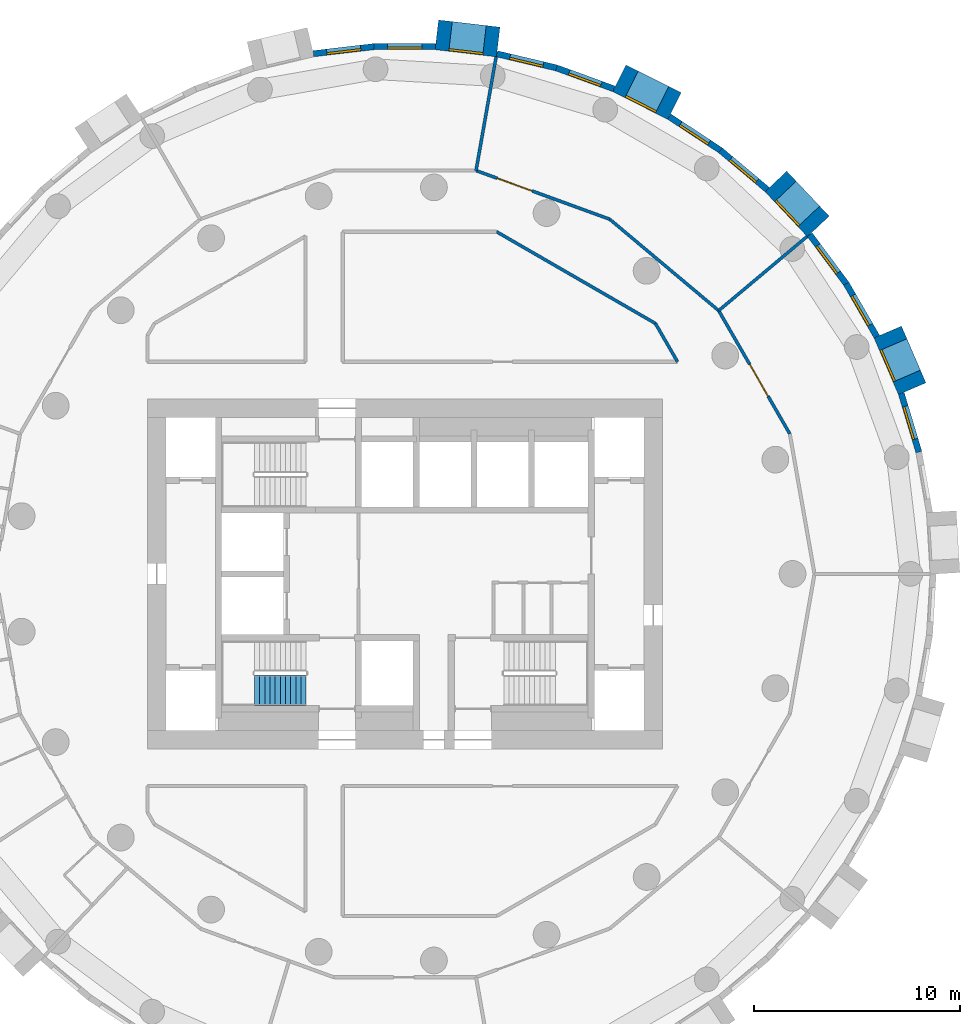
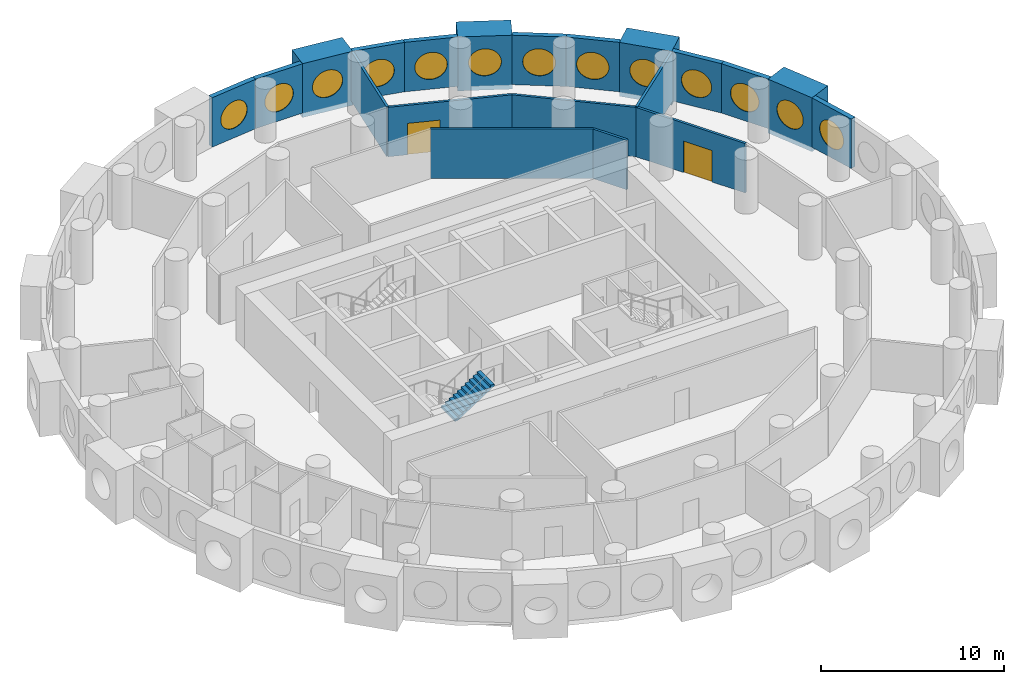
# One storey, part 7 of 9: 20 walls, 13 windows, 2 doors, 1 stair flight, 15 openings, 1 element without a shape of its own.
"""IFC4 building model written with IfcOpenShell, lengths in metres."""

from ifc_helpers import new_model, si_unit, direction, frame, frame_2d, origin, origin_2d, place, context, subcontext, project, spatial, polyline, rectangle, circle, outline, extrude, material, layer, layer_set, type_object, element, fill, aggregate, save


model = new_model("IFC4")

# Units and contexts
model_context = context("Model", 3, precision=1e-05, world=origin(), true_north=direction((0.0, 1.0)))
body_context = subcontext(model_context, "Body", "Model", "MODEL_VIEW")
ifc_project = project(units=[si_unit("LENGTHUNIT", "METRE"), si_unit("AREAUNIT", "SQUARE_METRE"), si_unit("VOLUMEUNIT", "CUBIC_METRE"), si_unit("PLANEANGLEUNIT", "RADIAN"), si_unit("MASSUNIT", "GRAM", prefix="KILO")], contexts=[model_context])

# Site, building, storey
site_placement = place(None, origin())
site = spatial("IfcSite", under=ifc_project, at=site_placement, CompositionType="ELEMENT")
building_placement = place(site_placement, origin())
building = spatial("IfcBuilding", under=site, at=building_placement, Name="Tracery Tower", CompositionType="ELEMENT")
storey_placement = place(building_placement, frame((0.0, 0.0, 205.199951171875)))
storey = spatial("IfcBuildingStorey", under=building, at=storey_placement, Name="L53", CompositionType="ELEMENT", Elevation=205.199951171875)

# Wall, opening, window
ifc_material_1 = material(Name="Precast concrete C50/60", Category="concrete")
ifc_layer_1 = layer(ifc_material_1, 1.449951171875)
ifc_layer_set_1 = layer_set([ifc_layer_1], Name="Deep-set bay unit 3000 x 3600, slab edge 300")
wall_type_1 = type_object("IfcWallType", Name="Deep-set bay unit 3000 x 3600, slab edge 300", PredefinedType="ELEMENTEDWALL", material=ifc_layer_set_1)
wall_1_placement = place(storey_placement, frame((24.632080078125, 8.99169921875, -0.300048828125), z_axis=(0.0, 0.0, 1.0), x_axis=(-0.396079003245, 0.918216435917, 0.0)))
wall_1 = element("IfcWall", 1, at=wall_1_placement, inside=storey, type_object=wall_type_1, Name="Deep-set bay unit 4 at L53", PredefinedType="ELEMENTEDWALL", context=body_context, shape_type="SweptSolid", body=[
    extrude(rectangle(XDim=3.0, YDim=1.449951171875, at=frame_2d((1.5, 0.0))), origin(), (0.0, 0.0, 1.0), 3.60009765625),
])
opening_1_placement = place(wall_1_placement, frame((1.5, 0.0, 1.85009765625)))
opening_1 = element("IfcOpeningElement", 2, at=opening_1_placement, cuts=wall_1, Name="Opening WN1", PredefinedType="OPENING", context=body_context, shape_type="SweptSolid", body=[
    extrude(circle(Radius=0.9000244140625, at=origin_2d()), frame((0.0, 0.73486328125, 0.0), z_axis=(0.0, -1.0, 0.0), x_axis=(1.0, 0.0, 0.0)), (0.0, 0.0, 1.0), 1.469970703125),
])
ifc_material_2 = material(Name="Aluminium frame with tinted double glazing", Category="aluminium")
window_type = type_object("IfcWindowType", Name="Round window 1800", PartitioningType="SINGLE_PANEL", PredefinedType="WINDOW", material=ifc_material_2)
window_1_placement = place(opening_1_placement, origin())
window_1 = element("IfcWindow", 3, at=window_1_placement, inside=storey, type_object=window_type, Name="Round window 4 at L53", OverallHeight=1.800048828125, OverallWidth=1.800048828125, PartitioningType="SINGLE_PANEL", PredefinedType="WINDOW", context=body_context, shape_type="SweptSolid", body=[
    extrude(circle(Radius=0.9000244140625, at=origin_2d()), frame((0.0, 0.69482421875, 0.0), z_axis=(0.0, -1.0, 0.0), x_axis=(1.0, 0.0, 0.0)), (0.0, 0.0, 1.0), 0.10009765625),
])
fill(opening_1, window_1)

wall_2_placement = place(storey_placement, frame((20.0712890625, 16.8740234375, -0.300048828125), z_axis=(0.0, 0.0, 1.0), x_axis=(-0.686217177108, 0.727396718334, 0.0)))
wall_2 = element("IfcWall", 4, at=wall_2_placement, inside=storey, type_object=wall_type_1, Name="Deep-set bay unit 7 at L53", PredefinedType="ELEMENTEDWALL", context=body_context, shape_type="SweptSolid", body=[
    extrude(rectangle(XDim=3.0, YDim=1.449951171875, at=frame_2d((1.5, 0.0))), origin(), (0.0, 0.0, 1.0), 3.60009765625),
])
opening_2_placement = place(wall_2_placement, frame((1.5, 0.0, 1.85009765625)))
opening_2 = element("IfcOpeningElement", 5, at=opening_2_placement, cuts=wall_2, Name="Opening WN1", PredefinedType="OPENING", context=body_context, shape_type="SweptSolid", body=[
    extrude(circle(Radius=0.9000244140625, at=origin_2d()), frame((0.0, 0.73486328125, 0.0), z_axis=(0.0, -1.0, 0.0), x_axis=(1.0, 0.0, 0.0)), (0.0, 0.0, 1.0), 1.469970703125),
])
window_2_placement = place(opening_2_placement, origin())
window_2 = element("IfcWindow", 6, at=window_2_placement, inside=storey, type_object=window_type, Name="Round window 7 at L53", OverallHeight=1.800048828125, OverallWidth=1.800048828125, PartitioningType="SINGLE_PANEL", PredefinedType="WINDOW", context=body_context, shape_type="SweptSolid", body=[
    extrude(circle(Radius=0.9000244140625, at=origin_2d()), frame((0.0, 0.69482421875, 0.0), z_axis=(0.0, -1.0, 0.0), x_axis=(1.0, 0.0, 0.0)), (0.0, 0.0, 1.0), 0.10009765625),
])
fill(opening_2, window_2)

wall_3_placement = place(storey_placement, frame((13.089599609375, 22.72119140625, -0.300048828125), z_axis=(0.0, 0.0, 1.0), x_axis=(-0.893628249713, 0.448807922518, 0.0)))
wall_3 = element("IfcWall", 7, at=wall_3_placement, inside=storey, type_object=wall_type_1, Name="Deep-set bay unit 10 at L53", PredefinedType="ELEMENTEDWALL", context=body_context, shape_type="SweptSolid", body=[
    extrude(rectangle(XDim=3.0, YDim=1.449951171875, at=frame_2d((1.5, 0.0))), origin(), (0.0, 0.0, 1.0), 3.60009765625),
])
opening_3_placement = place(wall_3_placement, frame((1.5, 0.0, 1.85009765625)))
opening_3 = element("IfcOpeningElement", 8, at=opening_3_placement, cuts=wall_3, Name="Opening WN1", PredefinedType="OPENING", context=body_context, shape_type="SweptSolid", body=[
    extrude(circle(Radius=0.9000244140625, at=origin_2d()), frame((0.0, 0.73486328125, 0.0), z_axis=(0.0, -1.0, 0.0), x_axis=(1.0, 0.0, 0.0)), (0.0, 0.0, 1.0), 1.469970703125),
])
window_3_placement = place(opening_3_placement, origin())
window_3 = element("IfcWindow", 9, at=window_3_placement, inside=storey, type_object=window_type, Name="Round window 10 at L53", OverallHeight=1.800048828125, OverallWidth=1.800048828125, PartitioningType="SINGLE_PANEL", PredefinedType="WINDOW", context=body_context, shape_type="SweptSolid", body=[
    extrude(circle(Radius=0.9000244140625, at=origin_2d()), frame((0.0, 0.69482421875, 0.0), z_axis=(0.0, -1.0, 0.0), x_axis=(1.0, 0.0, 0.0)), (0.0, 0.0, 1.0), 0.10009765625),
])
fill(opening_3, window_3)

wall_4_placement = place(storey_placement, frame((4.529052734375, 25.827880859375, -0.300048828125), z_axis=(0.0, 0.0, 1.0), x_axis=(-0.9932342274, 0.116128246006, 0.0)))
wall_4 = element("IfcWall", 10, at=wall_4_placement, inside=storey, type_object=wall_type_1, Name="Deep-set bay unit 13 at L53", PredefinedType="ELEMENTEDWALL", context=body_context, shape_type="SweptSolid", body=[
    extrude(rectangle(XDim=3.0, YDim=1.449951171875, at=frame_2d((1.5, 0.0))), origin(), (0.0, 0.0, 1.0), 3.60009765625),
])
opening_4_placement = place(wall_4_placement, frame((1.5, 0.0, 1.85009765625)))
opening_4 = element("IfcOpeningElement", 11, at=opening_4_placement, cuts=wall_4, Name="Opening WN1", PredefinedType="OPENING", context=body_context, shape_type="SweptSolid", body=[
    extrude(circle(Radius=0.9000244140625, at=origin_2d()), frame((0.0, 0.73486328125, 0.0), z_axis=(0.0, -1.0, 0.0), x_axis=(1.0, 0.0, 0.0)), (0.0, 0.0, 1.0), 1.469970703125),
])
window_4_placement = place(opening_4_placement, origin())
window_4 = element("IfcWindow", 12, at=window_4_placement, inside=storey, type_object=window_type, Name="Round window 13 at L53", OverallHeight=1.800048828125, OverallWidth=1.800048828125, PartitioningType="SINGLE_PANEL", PredefinedType="WINDOW", context=body_context, shape_type="SweptSolid", body=[
    extrude(circle(Radius=0.9000244140625, at=origin_2d()), frame((0.0, 0.69482421875, 0.0), z_axis=(0.0, -1.0, 0.0), x_axis=(1.0, 0.0, 0.0)), (0.0, 0.0, 1.0), 0.10009765625),
])
fill(opening_4, window_4)

ifc_material_3 = material(Name="Precast concrete C50/60", Category="concrete")
ifc_layer_2 = layer(ifc_material_3, 0.300048828125)
ifc_layer_set_2 = layer_set([ifc_layer_2], Name="Facade panel 3000 x 3300")
wall_type_2 = type_object("IfcWallType", Name="Facade panel 3000 x 3300", PredefinedType="SOLIDWALL", material=ifc_layer_set_2)
wall_5_placement = place(storey_placement, frame((24.9560546875, 5.914794921875, 0.0), z_axis=(0.0, 0.0, 1.0), x_axis=(-0.286782750849, 0.957995643944, 0.0)))
wall_5 = element("IfcWall", 13, at=wall_5_placement, inside=storey, type_object=wall_type_2, Name="Facade panel 3 at L53", PredefinedType="SOLIDWALL", context=body_context, shape_type="SweptSolid", body=[
    extrude(rectangle(XDim=2.97265625, YDim=0.300048828125, at=frame_2d((1.486328125, 0.0))), origin(), (0.0, 0.0, 1.0), 3.300048828125),
])
opening_5_placement = place(wall_5_placement, frame((1.486328125, 0.0, 1.5498046875)))
opening_5 = element("IfcOpeningElement", 14, at=opening_5_placement, cuts=wall_5, Name="Opening WN1", PredefinedType="OPENING", context=body_context, shape_type="SweptSolid", body=[
    extrude(circle(Radius=0.9000244140625, at=origin_2d()), frame((0.0, 0.159912109375, 0.0), z_axis=(0.0, -1.0, 0.0), x_axis=(1.0, 0.0, 0.0)), (0.0, 0.0, 1.0), 0.320068359375),
])
window_5_placement = place(opening_5_placement, origin())
window_5 = element("IfcWindow", 15, at=window_5_placement, inside=storey, type_object=window_type, Name="Round window 3 at L53", OverallHeight=1.800048828125, OverallWidth=1.800048828125, PartitioningType="SINGLE_PANEL", PredefinedType="WINDOW", context=body_context, shape_type="SweptSolid", body=[
    extrude(circle(Radius=0.9000244140625, at=origin_2d()), frame((0.0, 0.1201171875, 0.0), z_axis=(0.0, -1.0, 0.0), x_axis=(1.0, 0.0, 0.0)), (0.0, 0.0, 1.0), 0.10009765625),
])
fill(opening_5, window_5)

wall_6_placement = place(storey_placement, frame((22.91455078125, 11.518798828125, 0.0), z_axis=(0.0, 0.0, 1.0), x_axis=(-0.499954672104, 0.866051572276, 0.0)))
wall_6 = element("IfcWall", 16, at=wall_6_placement, inside=storey, type_object=wall_type_2, Name="Facade panel 5 at L53", PredefinedType="SOLIDWALL", context=body_context, shape_type="SweptSolid", body=[
    extrude(rectangle(XDim=2.972900390625, YDim=0.300048828125, at=frame_2d((1.486328125, 0.0))), origin(), (0.0, 0.0, 1.0), 3.300048828125),
])
opening_6_placement = place(wall_6_placement, frame((1.486328125, 0.0, 1.5498046875)))
opening_6 = element("IfcOpeningElement", 17, at=opening_6_placement, cuts=wall_6, Name="Opening WN1", PredefinedType="OPENING", context=body_context, shape_type="SweptSolid", body=[
    extrude(circle(Radius=0.9000244140625, at=origin_2d()), frame((0.0, 0.159912109375, 0.0), z_axis=(0.0, -1.0, 0.0), x_axis=(1.0, 0.0, 0.0)), (0.0, 0.0, 1.0), 0.320068359375),
])
window_6_placement = place(opening_6_placement, origin())
window_6 = element("IfcWindow", 18, at=window_6_placement, inside=storey, type_object=window_type, Name="Round window 5 at L53", OverallHeight=1.800048828125, OverallWidth=1.800048828125, PartitioningType="SINGLE_PANEL", PredefinedType="WINDOW", context=body_context, shape_type="SweptSolid", body=[
    extrude(circle(Radius=0.9000244140625, at=origin_2d()), frame((0.0, 0.1201171875, 0.0), z_axis=(0.0, -1.0, 0.0), x_axis=(1.0, 0.0, 0.0)), (0.0, 0.0, 1.0), 0.10009765625),
])
fill(opening_6, window_6)

wall_7_placement = place(storey_placement, frame((21.42822265625, 14.093505859375, 0.0), z_axis=(0.0, 0.0, 1.0), x_axis=(-0.597197580538, 0.80209416517, 0.0)))
wall_7 = element("IfcWall", 19, at=wall_7_placement, inside=storey, type_object=wall_type_2, Name="Facade panel 6 at L53", PredefinedType="SOLIDWALL", context=body_context, shape_type="SweptSolid", body=[
    extrude(rectangle(XDim=2.972900390625, YDim=0.300048828125, at=frame_2d((1.486328125, 0.0))), origin(), (0.0, 0.0, 1.0), 3.300048828125),
])
opening_7_placement = place(wall_7_placement, frame((1.486328125, 0.0, 1.5498046875)))
opening_7 = element("IfcOpeningElement", 20, at=opening_7_placement, cuts=wall_7, Name="Opening WN1", PredefinedType="OPENING", context=body_context, shape_type="SweptSolid", body=[
    extrude(circle(Radius=0.9000244140625, at=origin_2d()), frame((0.0, 0.159912109375, 0.0), z_axis=(0.0, -1.0, 0.0), x_axis=(1.0, 0.0, 0.0)), (0.0, 0.0, 1.0), 0.320068359375),
])
window_7_placement = place(opening_7_placement, origin())
window_7 = element("IfcWindow", 21, at=window_7_placement, inside=storey, type_object=window_type, Name="Round window 6 at L53", OverallHeight=1.800048828125, OverallWidth=1.800048828125, PartitioningType="SINGLE_PANEL", PredefinedType="WINDOW", context=body_context, shape_type="SweptSolid", body=[
    extrude(circle(Radius=0.9000244140625, at=origin_2d()), frame((0.0, 0.1201171875, 0.0), z_axis=(0.0, -1.0, 0.0), x_axis=(1.0, 0.0, 0.0)), (0.0, 0.0, 1.0), 0.10009765625),
])
fill(opening_7, window_7)

wall_8_placement = place(storey_placement, frame((17.593017578125, 18.661376953125, 0.0), z_axis=(0.0, 0.0, 1.0), x_axis=(-0.766008913364, 0.642829950023, 0.0)))
wall_8 = element("IfcWall", 22, at=wall_8_placement, inside=storey, type_object=wall_type_2, Name="Facade panel 8 at L53", PredefinedType="SOLIDWALL", context=body_context, shape_type="SweptSolid", body=[
    extrude(rectangle(XDim=2.972900390625, YDim=0.300048828125, at=frame_2d((1.486328125, 0.0))), origin(), (0.0, 0.0, 1.0), 3.300048828125),
])
opening_8_placement = place(wall_8_placement, frame((1.486328125, 0.0, 1.5498046875)))
opening_8 = element("IfcOpeningElement", 23, at=opening_8_placement, cuts=wall_8, Name="Opening WN1", PredefinedType="OPENING", context=body_context, shape_type="SweptSolid", body=[
    extrude(circle(Radius=0.9000244140625, at=origin_2d()), frame((0.0, 0.159912109375, 0.0), z_axis=(0.0, -1.0, 0.0), x_axis=(1.0, 0.0, 0.0)), (0.0, 0.0, 1.0), 0.320068359375),
])
window_8_placement = place(opening_8_placement, origin())
window_8 = element("IfcWindow", 24, at=window_8_placement, inside=storey, type_object=window_type, Name="Round window 8 at L53", OverallHeight=1.800048828125, OverallWidth=1.800048828125, PartitioningType="SINGLE_PANEL", PredefinedType="WINDOW", context=body_context, shape_type="SweptSolid", body=[
    extrude(circle(Radius=0.9000244140625, at=origin_2d()), frame((0.0, 0.1201171875, 0.0), z_axis=(0.0, -1.0, 0.0), x_axis=(1.0, 0.0, 0.0)), (0.0, 0.0, 1.0), 0.10009765625),
])
fill(opening_8, window_8)

wall_9_placement = place(storey_placement, frame((15.315673828125, 20.572509765625, 0.0), z_axis=(0.0, 0.0, 1.0), x_axis=(-0.835508361394, 0.54947773207, 0.0)))
wall_9 = element("IfcWall", 25, at=wall_9_placement, inside=storey, type_object=wall_type_2, Name="Facade panel 9 at L53", PredefinedType="SOLIDWALL", context=body_context, shape_type="SweptSolid", body=[
    extrude(rectangle(XDim=2.972900390625, YDim=0.300048828125, at=frame_2d((1.486328125, 0.0))), origin(), (0.0, 0.0, 1.0), 3.300048828125),
])
opening_9_placement = place(wall_9_placement, frame((1.486328125, 0.0, 1.5498046875)))
opening_9 = element("IfcOpeningElement", 26, at=opening_9_placement, cuts=wall_9, Name="Opening WN1", PredefinedType="OPENING", context=body_context, shape_type="SweptSolid", body=[
    extrude(circle(Radius=0.9000244140625, at=origin_2d()), frame((0.0, 0.159912109375, 0.0), z_axis=(0.0, -1.0, 0.0), x_axis=(1.0, 0.0, 0.0)), (0.0, 0.0, 1.0), 0.320068359375),
])
window_9_placement = place(opening_9_placement, origin())
window_9 = element("IfcWindow", 27, at=window_9_placement, inside=storey, type_object=window_type, Name="Round window 9 at L53", OverallHeight=1.800048828125, OverallWidth=1.800048828125, PartitioningType="SINGLE_PANEL", PredefinedType="WINDOW", context=body_context, shape_type="SweptSolid", body=[
    extrude(circle(Radius=0.9000244140625, at=origin_2d()), frame((0.0, 0.1201171875, 0.0), z_axis=(0.0, -1.0, 0.0), x_axis=(1.0, 0.0, 0.0)), (0.0, 0.0, 1.0), 0.10009765625),
])
fill(opening_9, window_9)

wall_10_placement = place(storey_placement, frame((10.1494140625, 23.55322265625, 0.0), z_axis=(0.0, 0.0, 1.0), x_axis=(-0.939690282133, 0.342026568652, 0.0)))
wall_10 = element("IfcWall", 28, at=wall_10_placement, inside=storey, type_object=wall_type_2, Name="Facade panel 11 at L53", PredefinedType="SOLIDWALL", context=body_context, shape_type="SweptSolid", body=[
    extrude(rectangle(XDim=2.972900390625, YDim=0.300048828125, at=frame_2d((1.486328125, 0.0))), origin(), (0.0, 0.0, 1.0), 3.300048828125),
])
opening_10_placement = place(wall_10_placement, frame((1.486328125, 0.0, 1.5498046875)))
opening_10 = element("IfcOpeningElement", 29, at=opening_10_placement, cuts=wall_10, Name="Opening WN1", PredefinedType="OPENING", context=body_context, shape_type="SweptSolid", body=[
    extrude(circle(Radius=0.9000244140625, at=origin_2d()), frame((0.0, 0.159912109375, 0.0), z_axis=(0.0, -1.0, 0.0), x_axis=(1.0, 0.0, 0.0)), (0.0, 0.0, 1.0), 0.320068359375),
])
window_10_placement = place(opening_10_placement, origin())
window_10 = element("IfcWindow", 30, at=window_10_placement, inside=storey, type_object=window_type, Name="Round window 11 at L53", OverallHeight=1.800048828125, OverallWidth=1.800048828125, PartitioningType="SINGLE_PANEL", PredefinedType="WINDOW", context=body_context, shape_type="SweptSolid", body=[
    extrude(circle(Radius=0.9000244140625, at=origin_2d()), frame((0.0, 0.1201171875, 0.0), z_axis=(0.0, -1.0, 0.0), x_axis=(1.0, 0.0, 0.0)), (0.0, 0.0, 1.0), 0.10009765625),
])
fill(opening_10, window_10)

wall_11_placement = place(storey_placement, frame((7.355712890625, 24.570068359375, 0.0), z_axis=(0.0, 0.0, 1.0), x_axis=(-0.973045378923, 0.230613725862, 0.0)))
wall_11 = element("IfcWall", 31, at=wall_11_placement, inside=storey, type_object=wall_type_2, Name="Facade panel 12 at L53", PredefinedType="SOLIDWALL", context=body_context, shape_type="SweptSolid", body=[
    extrude(rectangle(XDim=2.97265625, YDim=0.300048828125, at=frame_2d((1.486328125, 0.0))), origin(), (0.0, 0.0, 1.0), 3.300048828125),
])
opening_11_placement = place(wall_11_placement, frame((1.486328125, 0.0, 1.5498046875)))
opening_11 = element("IfcOpeningElement", 32, at=opening_11_placement, cuts=wall_11, Name="Opening WN1", PredefinedType="OPENING", context=body_context, shape_type="SweptSolid", body=[
    extrude(circle(Radius=0.9000244140625, at=origin_2d()), frame((0.0, 0.159912109375, 0.0), z_axis=(0.0, -1.0, 0.0), x_axis=(1.0, 0.0, 0.0)), (0.0, 0.0, 1.0), 0.320068359375),
])
window_11_placement = place(opening_11_placement, origin())
window_11 = element("IfcWindow", 33, at=window_11_placement, inside=storey, type_object=window_type, Name="Round window 12 at L53", OverallHeight=1.800048828125, OverallWidth=1.800048828125, PartitioningType="SINGLE_PANEL", PredefinedType="WINDOW", context=body_context, shape_type="SweptSolid", body=[
    extrude(circle(Radius=0.9000244140625, at=origin_2d()), frame((0.0, 0.1201171875, 0.0), z_axis=(0.0, -1.0, 0.0), x_axis=(1.0, 0.0, 0.0)), (0.0, 0.0, 1.0), 0.10009765625),
])
fill(opening_11, window_11)

wall_12_placement = place(storey_placement, frame((1.481689453125, 25.60400390625, 0.0), z_axis=(0.0, 0.0, 1.0), x_axis=(-1.0, 0.0, 0.0)))
wall_12 = element("IfcWall", 34, at=wall_12_placement, inside=storey, type_object=wall_type_2, Name="Facade panel 14 at L53", PredefinedType="SOLIDWALL", context=body_context, shape_type="SweptSolid", body=[
    extrude(rectangle(XDim=2.972900390625, YDim=0.300048828125, at=frame_2d((1.486328125, 0.0))), origin(), (0.0, 0.0, 1.0), 3.300048828125),
])
opening_12_placement = place(wall_12_placement, frame((1.486328125, 0.0, 1.5498046875)))
opening_12 = element("IfcOpeningElement", 35, at=opening_12_placement, cuts=wall_12, Name="Opening WN1", PredefinedType="OPENING", context=body_context, shape_type="SweptSolid", body=[
    extrude(circle(Radius=0.9000244140625, at=origin_2d()), frame((0.0, 0.159912109375, 0.0), z_axis=(0.0, -1.0, 0.0), x_axis=(1.0, 0.0, 0.0)), (0.0, 0.0, 1.0), 0.320068359375),
])
window_12_placement = place(opening_12_placement, origin())
window_12 = element("IfcWindow", 36, at=window_12_placement, inside=storey, type_object=window_type, Name="Round window 14 at L53", OverallHeight=1.800048828125, OverallWidth=1.800048828125, PartitioningType="SINGLE_PANEL", PredefinedType="WINDOW", context=body_context, shape_type="SweptSolid", body=[
    extrude(circle(Radius=0.9000244140625, at=origin_2d()), frame((0.0, 0.1201171875, 0.0), z_axis=(0.0, -1.0, 0.0), x_axis=(1.0, 0.0, 0.0)), (0.0, 0.0, 1.0), 0.10009765625),
])
fill(opening_12, window_12)

wall_13_placement = place(storey_placement, frame((-1.4912109375, 25.60400390625, 0.0), z_axis=(0.0, 0.0, 1.0), x_axis=(-0.993245010522, -0.1160359818, 0.0)))
wall_13 = element("IfcWall", 37, at=wall_13_placement, inside=storey, type_object=wall_type_2, Name="Facade panel 15 at L53", PredefinedType="SOLIDWALL", context=body_context, shape_type="SweptSolid", body=[
    extrude(rectangle(XDim=2.972900390625, YDim=0.300048828125, at=frame_2d((1.486328125, 0.0))), origin(), (0.0, 0.0, 1.0), 3.300048828125),
])
opening_13_placement = place(wall_13_placement, frame((1.486328125, 0.0, 1.5498046875)))
opening_13 = element("IfcOpeningElement", 38, at=opening_13_placement, cuts=wall_13, Name="Opening WN1", PredefinedType="OPENING", context=body_context, shape_type="SweptSolid", body=[
    extrude(circle(Radius=0.9000244140625, at=origin_2d()), frame((0.0, 0.159912109375, 0.0), z_axis=(0.0, -1.0, 0.0), x_axis=(1.0, 0.0, 0.0)), (0.0, 0.0, 1.0), 0.320068359375),
])
window_13_placement = place(opening_13_placement, origin())
window_13 = element("IfcWindow", 39, at=window_13_placement, inside=storey, type_object=window_type, Name="Round window 15 at L53", OverallHeight=1.800048828125, OverallWidth=1.800048828125, PartitioningType="SINGLE_PANEL", PredefinedType="WINDOW", context=body_context, shape_type="SweptSolid", body=[
    extrude(circle(Radius=0.9000244140625, at=origin_2d()), frame((0.0, 0.1201171875, 0.0), z_axis=(0.0, -1.0, 0.0), x_axis=(1.0, 0.0, 0.0)), (0.0, 0.0, 1.0), 0.10009765625),
])
fill(opening_13, window_13)

# Walls
ifc_material_4 = material(Name="Plasterboard on steel studs", Category="steel")
ifc_layer_3 = layer(ifc_material_4, 0.14990234375)
ifc_layer_set_3 = layer_set([ifc_layer_3], Name="Partition 150 acoustic unit wall")
wall_type_3 = type_object("IfcWallType", Name="Partition 150 acoustic unit wall", PredefinedType="PARTITIONING", material=ifc_layer_set_3)
wall_14_placement = place(storey_placement, frame((15.235107421875, 12.783935546875, 0.0), z_axis=(0.0, 0.0, 1.0), x_axis=(0.76609059793, 0.642732600514, 0.0)))
element("IfcWall", 40, at=wall_14_placement, inside=storey, type_object=wall_type_3, Name="Unit wall RB8-040", PredefinedType="PARTITIONING", context=body_context, shape_type="SweptSolid", body=[
    extrude(rectangle(XDim=5.60888671875, YDim=0.14990234375, at=frame_2d((2.804443359375, 0.0))), origin(), (0.0, 0.0, 1.0), 3.300048828125),
])
wall_15_placement = place(storey_placement, frame((3.452880859375, 19.5859375, 0.0), z_axis=(0.0, 0.0, 1.0), x_axis=(0.17382754149, 0.984776109489, 0.0)))
element("IfcWall", 41, at=wall_15_placement, inside=storey, type_object=wall_type_3, Name="Unit wall RB8-042", PredefinedType="PARTITIONING", context=body_context, shape_type="SweptSolid", body=[
    extrude(rectangle(XDim=5.609619140625, YDim=0.14990234375, at=frame_2d((2.8046875, 0.0))), origin(), (0.0, 0.0, 1.0), 3.300048828125),
])
ifc_material_5 = material(Name="Plasterboard on steel studs", Category="steel")
ifc_layer_4 = layer(ifc_material_5, 0.14990234375)
ifc_layer_set_4 = layer_set([ifc_layer_4], Name="Partition 150 corridor wall")
wall_type_4 = type_object("IfcWallType", Name="Partition 150 corridor wall", PredefinedType="PARTITIONING", material=ifc_layer_set_4)
wall_16_placement = place(storey_placement, frame((12.162109375, 12.162109375, 0.0), z_axis=(0.0, 0.0, 1.0), x_axis=(0.499961633463, -0.866047553582, 0.0)))
element("IfcWall", 42, at=wall_16_placement, inside=storey, type_object=wall_type_4, Name="Corridor wall RB8-005", PredefinedType="PARTITIONING", context=body_context, shape_type="SweptSolid", body=[
    extrude(rectangle(XDim=2.150146484375, YDim=0.14990234375, at=frame_2d((1.0751953125, 0.0))), origin(), (0.0, 0.0, 1.0), 3.300048828125),
])

# Wall, opening, door
wall_17_placement = place(storey_placement, frame((15.235107421875, 12.783935546875, 0.0), z_axis=(0.0, 0.0, 1.0), x_axis=(0.499914202267, -0.866074933462, 0.0)))
wall_17 = element("IfcWall", 43, at=wall_17_placement, inside=storey, type_object=wall_type_4, Name="Corridor wall RB8-007", PredefinedType="PARTITIONING", context=body_context, shape_type="SweptSolid", body=[
    extrude(rectangle(XDim=6.906982421875, YDim=0.14990234375, at=frame_2d((3.45361328125, 0.0))), origin(), (0.0, 0.0, 1.0), 3.300048828125),
])
opening_14_placement = place(wall_17_placement, frame((3.00390625, 0.0, 0.0)))
opening_14 = element("IfcOpeningElement", 44, at=opening_14_placement, cuts=wall_17, Name="Opening RB8-05", PredefinedType="OPENING", context=body_context, shape_type="SweptSolid", body=[
    extrude(rectangle(XDim=1.800048828125, YDim=2.10009765625, at=frame_2d((0.89990234375, 1.050048828125))), frame((0.0, 0.074951171875, 0.0), z_axis=(0.0, -1.0, 0.0), x_axis=(1.0, 0.0, 0.0)), (0.0, 0.0, 1.0), 0.14990234375),
])
ifc_material_6 = material(Name="Timber door leaf", Category="wood")
door_type = type_object("IfcDoorType", Name="Door double lounge 1800", OperationType="NOTDEFINED", PredefinedType="DOOR", material=ifc_material_6)
door_1_placement = place(opening_14_placement, origin())
door_1 = element("IfcDoor", 45, at=door_1_placement, inside=storey, type_object=door_type, Name="Double lounge door RB8-05", OperationType="DOUBLE_DOOR_SINGLE_SWING", OverallHeight=2.10009765625, OverallWidth=1.800048828125, PredefinedType="DOOR", context=body_context, shape_type="SweptSolid", body=[
    extrude(rectangle(XDim=1.800048828125, YDim=2.10009765625, at=frame_2d((0.89990234375, 1.050048828125))), frame((0.0, 0.02490234375, 0.0), z_axis=(0.0, -1.0, 0.0), x_axis=(1.0, 0.0, 0.0)), (0.0, 0.0, 1.0), 0.050048828125),
])
fill(opening_14, door_1)

# Walls
wall_18_placement = place(storey_placement, frame((9.943359375, 17.22216796875, 0.0), z_axis=(0.0, 0.0, 1.0), x_axis=(0.766192104565, -0.642611592567, 0.0)))
element("IfcWall", 46, at=wall_18_placement, inside=storey, type_object=wall_type_4, Name="Corridor wall RB8-009", PredefinedType="PARTITIONING", context=body_context, shape_type="SweptSolid", body=[
    extrude(rectangle(XDim=6.906494140625, YDim=0.14990234375, at=frame_2d((3.453125, 0.0))), origin(), (0.0, 0.0, 1.0), 3.300048828125),
])
wall_19_placement = place(storey_placement, frame((4.451904296875, 16.614013671875, 0.0), z_axis=(0.0, 0.0, 1.0), x_axis=(0.866005203721, -0.500034985904, 0.0)))
element("IfcWall", 47, at=wall_19_placement, inside=storey, type_object=wall_type_4, Name="Corridor wall RB8-015", PredefinedType="PARTITIONING", context=body_context, shape_type="SweptSolid", body=[
    extrude(rectangle(XDim=8.903076171875, YDim=0.14990234375, at=frame_2d((4.45166015625, 0.0))), origin(), (0.0, 0.0, 1.0), 3.300048828125),
])

# Wall, opening, door
wall_20_placement = place(storey_placement, frame((3.452880859375, 19.5859375, 0.0), z_axis=(0.0, 0.0, 1.0), x_axis=(0.939672634566, -0.342075050021, 0.0)))
wall_20 = element("IfcWall", 48, at=wall_20_placement, inside=storey, type_object=wall_type_4, Name="Corridor wall RB8-018", PredefinedType="PARTITIONING", context=body_context, shape_type="SweptSolid", body=[
    extrude(rectangle(XDim=6.907958984375, YDim=0.14990234375, at=frame_2d((3.4541015625, 0.0))), origin(), (0.0, 0.0, 1.0), 3.300048828125),
])
opening_15_placement = place(wall_20_placement, frame((1.10400390625, 0.0, 0.0)))
opening_15 = element("IfcOpeningElement", 49, at=opening_15_placement, cuts=wall_20, Name="Opening RB8-06", PredefinedType="OPENING", context=body_context, shape_type="SweptSolid", body=[
    extrude(rectangle(XDim=1.800048828125, YDim=2.10009765625, at=frame_2d((0.89990234375, 1.050048828125))), frame((0.0, 0.074951171875, 0.0), z_axis=(0.0, -1.0, 0.0), x_axis=(1.0, 0.0, 0.0)), (0.0, 0.0, 1.0), 0.14990234375),
])
door_2_placement = place(opening_15_placement, origin())
door_2 = element("IfcDoor", 50, at=door_2_placement, inside=storey, type_object=door_type, Name="Double lounge door RB8-06", OperationType="DOUBLE_DOOR_SINGLE_SWING", OverallHeight=2.10009765625, OverallWidth=1.800048828125, PredefinedType="DOOR", context=body_context, shape_type="SweptSolid", body=[
    extrude(rectangle(XDim=1.800048828125, YDim=2.10009765625, at=frame_2d((0.89990234375, 1.050048828125))), frame((0.0, 0.02490234375, 0.0), z_axis=(0.0, -1.0, 0.0), x_axis=(1.0, 0.0, 0.0)), (0.0, 0.0, 1.0), 0.050048828125),
])
fill(opening_15, door_2)

# Stair, stair flight
ifc_material_7 = material(Name="Concrete C32/40", Category="concrete")
stair_type = type_object("IfcStairType", Name="Core stair 22 risers", PredefinedType="HALF_TURN_STAIR", material=ifc_material_7)
stair_placement = place(storey_placement, origin())
stair = element("IfcStair", 51, at=stair_placement, inside=storey, type_object=stair_type, Name="L53 stair ST1", PredefinedType="HALF_TURN_STAIR")
ifc_material_8 = material(Name="Concrete C32/40", Category="concrete")
stair_flight_type = type_object("IfcStairFlightType", Name="Core stair flight 11 risers", PredefinedType="STRAIGHT", material=ifc_material_8)
stair_flight_placement = place(storey_placement, frame((-7.300048828125, -5.64990234375, 1.800048828125), z_axis=(0.0, 0.0, 1.0), x_axis=(1.0, 0.0, 0.0)))
stair_flight = element("IfcStairFlight", 52, at=stair_flight_placement, type_object=stair_flight_type, Name="ST1 flight 2", NumberOfRisers=11, NumberOfTreads=10, PredefinedType="STRAIGHT", RiserHeight=0.163636364, TreadLength=0.25, context=body_context, shape_type="SweptSolid", body=[
    extrude(outline(polyline([(0.0, 0.0), (0.0, 0.002685546875), (0.0, 0.00537109375), (0.0, 0.008056640625), (0.0, 0.0107421875), (0.0, 0.013427734375), (0.0, 0.01611328125), (0.0, 0.018798828125), (0.0, 0.021484375), (0.0, 0.024169921875), (0.0, 0.02685546875), (0.0, 0.029541015625), (0.0, 0.0322265625), (0.0, 0.034912109375), (0.0, 0.03759765625), (0.0, 0.040283203125), (0.0, 0.04296875), (0.0, 0.045654296875), (0.0, 0.04833984375), (0.0, 0.051025390625), (0.0, 0.0537109375), (0.0, 0.056396484375), (0.0, 0.05908203125), (0.0, 0.061767578125), (0.0, 0.064453125), (0.0, 0.067138671875), (0.0, 0.06982421875), (0.0, 0.072509765625), (0.0, 0.0751953125), (0.0, 0.077880859375), (0.0, 0.08056640625), (0.0, 0.083251953125), (0.0, 0.0859375), (0.0, 0.088623046875), (0.0, 0.09130859375), (0.0, 0.093994140625), (0.0, 0.0966796875), (0.0, 0.099365234375), (0.0, 0.10205078125), (0.0, 0.104736328125), (0.0, 0.107421875), (0.0, 0.10986328125), (0.0, 0.112548828125), (0.0, 0.115234375), (0.0, 0.117919921875), (0.0, 0.12060546875), (0.0, 0.123291015625), (0.0, 0.1259765625), (0.0, 0.128662109375), (0.0, 0.13134765625), (0.0, 0.134033203125), (0.0, 0.13671875), (0.0, 0.139404296875), (0.0, 0.14208984375), (0.0, 0.144775390625), (0.0, 0.1474609375), (0.0, 0.150146484375), (0.0, 0.15283203125), (0.0, 0.155517578125), (0.0, 0.158203125), (0.0, 0.160888671875), (0.0, 0.16357421875), (0.25, 0.16357421875), (0.25, 0.327392578125), (0.5, 0.327392578125), (0.5, 0.490966796875), (0.75, 0.490966796875), (0.75, 0.654541015625), (1.0, 0.654541015625), (1.0, 0.818115234375), (1.25, 0.818115234375), (1.25, 0.98193359375), (1.5, 0.98193359375), (1.5, 1.1455078125), (1.75, 1.1455078125), (1.75, 1.30908203125), (2.0, 1.30908203125), (2.0, 1.47265625), (2.25, 1.47265625), (2.25, 1.636474609375), (2.5, 1.636474609375), (2.5, 1.634521484375), (2.5, 1.63232421875), (2.5, 1.63037109375), (2.5, 1.62841796875), (2.5, 1.62646484375), (2.5, 1.62451171875), (2.5, 1.62255859375), (2.5, 1.62060546875), (2.5, 1.61865234375), (2.5, 1.61669921875), (2.5, 1.61474609375), (2.5, 1.61279296875), (2.5, 1.61083984375), (2.5, 1.60888671875), (2.5, 1.60693359375), (2.5, 1.60498046875), (2.5, 1.60302734375), (2.5, 1.60107421875), (2.5, 1.59912109375), (2.5, 1.59716796875), (2.5, 1.59521484375), (2.5, 1.59326171875), (2.5, 1.59130859375), (2.5, 1.58935546875), (2.5, 1.58740234375), (2.5, 1.58544921875), (2.5, 1.58349609375), (2.5, 1.58154296875), (2.5, 1.57958984375), (2.5, 1.57763671875), (2.5, 1.57568359375), (2.5, 1.573486328125), (2.5, 1.571533203125), (2.5, 1.569580078125), (2.5, 1.567626953125), (2.5, 1.565673828125), (2.5, 1.563720703125), (2.5, 1.561767578125), (2.5, 1.559814453125), (2.5, 1.557861328125), (2.5, 1.555908203125), (2.5, 1.553955078125), (2.5, 1.552001953125), (2.5, 1.550048828125), (2.5, 1.548095703125), (2.5, 1.546142578125), (2.5, 1.544189453125), (2.5, 1.542236328125), (2.5, 1.540283203125), (2.5, 1.538330078125), (2.5, 1.536376953125), (2.5, 1.534423828125), (2.5, 1.532470703125), (2.5, 1.530517578125), (2.5, 1.528564453125), (2.5, 1.526611328125), (2.5, 1.524658203125), (2.5, 1.522705078125), (2.5, 1.520751953125), (2.5, 1.518798828125), (2.5, 1.516845703125), (0.182861328125, 0.0), (0.0, 0.0)])), frame((0.0, 0.75, 0.0), z_axis=(0.0, -1.0, 0.0), x_axis=(1.0, 0.0, 0.0)), (0.0, 0.0, 1.0), 1.5),
])
aggregate(stair, [stair_flight])

save(model, "model.ifc")
